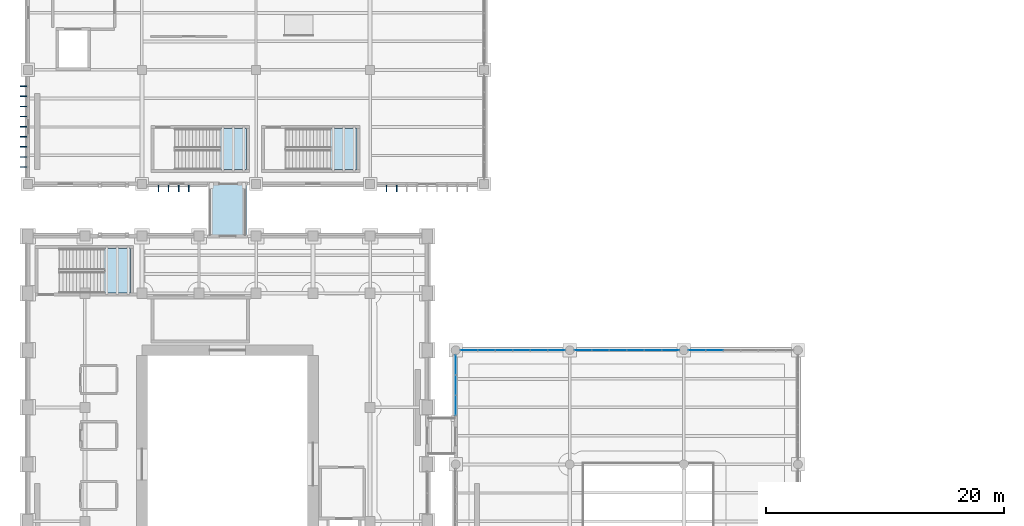
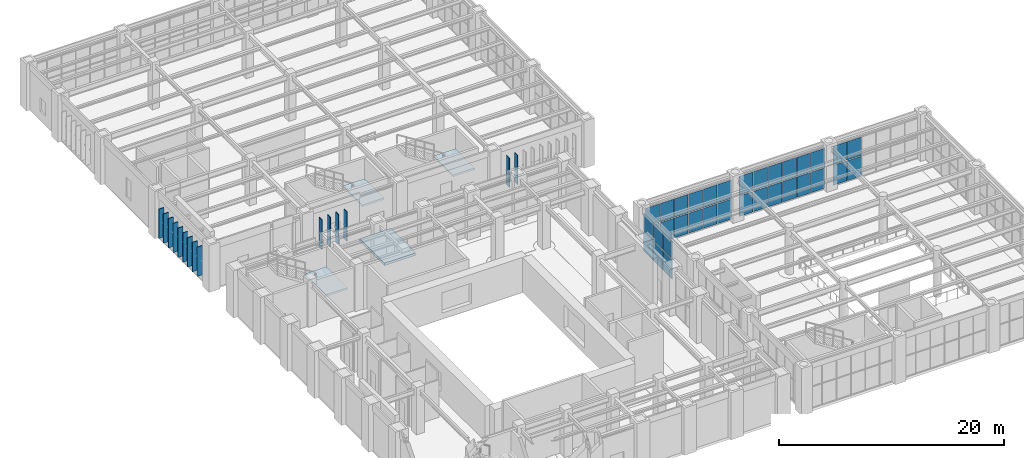
# One storey, part 130 of 174: 49 plates, 4 slabs, 7 elements without a shape of their own.
"""IFC4 building model written with IfcOpenShell, lengths in metres."""

import ifcopenshell
import ifcopenshell.guid

model = None  # the IFC model being written
_history = None  # IfcOwnerHistory: only IFC2X3 demands one
_inside = {}  # id of a spatial element -> (the spatial element, [elements in it])
_under = {}  # id of a project, library or spatial element -> (it, [spatial elements below it])
_declared = {}  # id of a project -> (the project, [libraries it declares])
_typed = {}  # id of a type object -> (the type object, [elements of that type])
_made_of = {}  # id of a material, layer set ... -> (it, [elements and type objects made of it])


def new_model(schema):
    """Start an empty IFC model of exactly this schema.

    Asked for "IFC4X3", IfcOpenShell would pick the latest addendum, in which some entities
    have other attributes; the version numbers below select the first issue.
    IFC2X3 requires an IfcOwnerHistory on every rooted entity: one is made here for all.
    """
    global model, _history
    if schema == "IFC4X3":
        model = ifcopenshell.file(schema_version=(4, 3, 0, 0))
    else:
        model = ifcopenshell.file(schema=schema)
    _inside.clear()
    _under.clear()
    _declared.clear()
    _typed.clear()
    _made_of.clear()
    _history = None
    if model.schema == "IFC2X3":
        org = make("IfcOrganization", Name="unknown")
        user = make(
            "IfcPersonAndOrganization",
            ThePerson=make("IfcPerson", FamilyName="unknown"),
            TheOrganization=org,
        )
        app = make(
            "IfcApplication",
            ApplicationDeveloper=org,
            Version="unknown",
            ApplicationFullName="unknown",
            ApplicationIdentifier="unknown",
        )
        _history = make(
            "IfcOwnerHistory",
            OwningUser=user,
            OwningApplication=app,
            ChangeAction="ADDED",
            CreationDate=0,
        )
    return model


def make(cls, **values):
    """One entity of the class cls with the attributes given. An attribute that is None is left unset."""
    return model.create_entity(
        cls, **{name: value for name, value in values.items() if value is not None}
    )


def rooted(cls, **values):
    """An entity with a GlobalId (a new one), such as an element, a storey or a relation."""
    return make(cls, GlobalId=ifcopenshell.guid.new(), OwnerHistory=_history, **values)


def si_unit(unit_type, name, prefix=None):
    """IfcSIUnit, for example si_unit("LENGTHUNIT", "METRE", prefix="MILLI")."""
    return make("IfcSIUnit", UnitType=unit_type, Prefix=prefix, Name=name)


def assignment(units):
    """IfcUnitAssignment: the units of a project."""
    return None if units is None else make("IfcUnitAssignment", Units=units)


def point(xyz):
    """IfcCartesianPoint."""
    return None if xyz is None else make("IfcCartesianPoint", Coordinates=xyz)


def direction(xyz):
    """IfcDirection."""
    return None if xyz is None else make("IfcDirection", DirectionRatios=xyz)


def frame(location, z_axis=None, x_axis=None):
    """IfcAxis2Placement3D, a coordinate frame: its origin and axes. An axis left out is left unset."""
    return make(
        "IfcAxis2Placement3D",
        Location=point(location),
        Axis=direction(z_axis),
        RefDirection=direction(x_axis),
    )


def frame_2d(location, x_axis=None):
    """IfcAxis2Placement2D, a coordinate frame in the plane: its origin and x axis."""
    return make(
        "IfcAxis2Placement2D", Location=point(location), RefDirection=direction(x_axis)
    )


def origin():
    """The frame at (0, 0, 0) with its axes left unset."""
    return frame((0.0, 0.0, 0.0))


def origin_2d():
    """The frame at (0, 0) in the plane with its x axis left unset."""
    return frame_2d((0.0, 0.0))


def place(relative_to, where):
    """IfcLocalPlacement: puts the frame where relative to a parent placement (None: the world)."""
    return make(
        "IfcLocalPlacement", PlacementRelTo=relative_to, RelativePlacement=where
    )


def context(
    kind, dimensions, precision=None, world=None, true_north=None, identifier=None
):
    """IfcGeometricRepresentationContext, for example the 3D "Model" context."""
    return make(
        "IfcGeometricRepresentationContext",
        ContextIdentifier=identifier,
        ContextType=kind,
        CoordinateSpaceDimension=dimensions,
        Precision=precision,
        WorldCoordinateSystem=world,
        TrueNorth=true_north,
    )


def subcontext(parent, identifier, kind, view, scale=None):
    """IfcGeometricRepresentationSubContext, for example "Body" below "Model"."""
    return make(
        "IfcGeometricRepresentationSubContext",
        ContextIdentifier=identifier,
        ContextType=kind,
        ParentContext=parent,
        TargetScale=scale,
        TargetView=view,
    )


def project(units=None, contexts=None):
    """IfcProject with its units and contexts."""
    return rooted(
        "IfcProject",
        Name="project",
        RepresentationContexts=contexts,
        UnitsInContext=assignment(units),
    )


def spatial(cls, under=None, at=None, **own):
    """A site, building, storey or space (cls), placed at a placement, below another one or the project."""
    s = rooted(cls, ObjectPlacement=at, **own)
    if under is not None:
        _under.setdefault(under.id(), (under, []))[1].append(s)
    return s


def polyline(points):
    """IfcPolyline through the points."""
    return make("IfcPolyline", Points=[point(p) for p in points])


def profile(cls, at=None, kind="AREA", **sizes):
    """A parametric profile (cls). Its sizes go by their IFC names, for example OverallWidth=200.0."""
    return make(cls, ProfileType=kind, Position=at, **sizes)


def rectangle(**sizes):
    """IfcRectangleProfileDef."""
    return profile("IfcRectangleProfileDef", **sizes)


def outline(outer, holes=None, kind="AREA"):
    """IfcArbitraryClosedProfileDef: a profile drawn as a closed curve; with holes, ...WithVoids."""
    if holes is None:
        return make("IfcArbitraryClosedProfileDef", ProfileType=kind, OuterCurve=outer)
    return make(
        "IfcArbitraryProfileDefWithVoids",
        ProfileType=kind,
        OuterCurve=outer,
        InnerCurves=holes,
    )


def extrude(swept, where, along, depth):
    """IfcExtrudedAreaSolid: the profile swept, set in the frame where, extruded along a direction by depth."""
    return make(
        "IfcExtrudedAreaSolid",
        SweptArea=swept,
        Position=where,
        ExtrudedDirection=direction(along),
        Depth=depth,
    )


def shape(context_of_items, identifier, shape_type, items):
    """IfcShapeRepresentation: the items that make up one representation, for example the "Body"."""
    return make(
        "IfcShapeRepresentation",
        ContextOfItems=context_of_items,
        RepresentationIdentifier=identifier,
        RepresentationType=shape_type,
        Items=items,
    )


def material(Name=None, Category=None):
    """IfcMaterial."""
    return make("IfcMaterial", Name=Name, Category=Category)


def layer(
    of_material, thickness, ventilated=None, Name=None, Category=None, Priority=None
):
    """IfcMaterialLayer: one layer of a wall or slab, of a material (None: an air gap)."""
    return make(
        "IfcMaterialLayer",
        Material=of_material,
        LayerThickness=thickness,
        IsVentilated=ventilated,
        Name=Name,
        Category=Category,
        Priority=Priority,
    )


def layer_set(layers, Name=None):
    """IfcMaterialLayerSet."""
    return make("IfcMaterialLayerSet", MaterialLayers=layers, LayerSetName=Name)


def made_of(thing, what):
    """Note that an element or type object is made of a material, layer set ...; save() writes the relation."""
    if what is not None:
        _made_of.setdefault(what.id(), (what, []))[1].append(thing)
    return thing


def type_object(cls, material=None, **own):
    """A type object (cls), such as IfcWallType, which elements share."""
    return made_of(rooted(cls, **own), material)


def element(
    cls,
    number,
    at=None,
    inside=None,
    cuts=None,
    type_object=None,
    material=None,
    context=None,
    identifier="Body",
    shape_type=None,
    held_by="IfcProductDefinitionShape",
    body=None,
    shapes=None,
    **own,
):
    """One element of the class cls, such as IfcWall. Its Tag is "e" and its number.

    at: its placement. inside: the storey or other place that contains it. cuts: it is an
    opening in that element (IfcRelVoidsElement). A single representation is given by context,
    identifier, shape_type and body (its items); several are given by shapes. held_by: the class
    of the entity that holds the representations. save() writes the other relations.
    """
    e = rooted(cls, Tag="e%d" % number, ObjectPlacement=at, **own)
    if body is not None:
        shapes = [shape(context, identifier, shape_type, body)]
    if shapes is not None:
        e.Representation = make(held_by, Representations=shapes)
    if inside is not None:
        _inside.setdefault(inside.id(), (inside, []))[1].append(e)
    if cuts is not None:
        rooted(
            "IfcRelVoidsElement", RelatingBuildingElement=cuts, RelatedOpeningElement=e
        )
    if type_object is not None:
        _typed.setdefault(type_object.id(), (type_object, []))[1].append(e)
    return made_of(e, material)


def aggregate(whole, parts):
    """IfcRelAggregates: a whole, such as a stair, and the parts it consists of."""
    return rooted("IfcRelAggregates", RelatingObject=whole, RelatedObjects=parts)


def save(model, path):
    """Write the relations noted so far, then the file.

    IfcRelAggregates (storeys below a building ...), IfcRelContainedInSpatialStructure (elements
    in a storey), IfcRelDefinesByType, IfcRelAssociatesMaterial and IfcRelDeclares: one each for
    every whole, place, type object, material and project.
    """
    for whole, parts in _under.values():
        aggregate(whole, parts)
    for where, things in _inside.values():
        rooted(
            "IfcRelContainedInSpatialStructure",
            RelatedElements=things,
            RelatingStructure=where,
        )
    for kind, things in _typed.values():
        rooted("IfcRelDefinesByType", RelatedObjects=things, RelatingType=kind)
    for what, things in _made_of.values():
        rooted("IfcRelAssociatesMaterial", RelatedObjects=things, RelatingMaterial=what)
    for by, libraries in _declared.values():
        rooted("IfcRelDeclares", RelatingContext=by, RelatedDefinitions=libraries)
    model.write(path)


model = new_model("IFC4")

# Units and contexts
model_context = context("Model", 3, precision=1e-05, world=origin(), true_north=direction((0.0, 1.0)))
body_context = subcontext(model_context, "Body", "Model", "MODEL_VIEW")
ifc_project = project(units=[si_unit("LENGTHUNIT", "METRE"), si_unit("AREAUNIT", "SQUARE_METRE"), si_unit("VOLUMEUNIT", "CUBIC_METRE"), si_unit("PLANEANGLEUNIT", "RADIAN"), si_unit("MASSUNIT", "GRAM", prefix="KILO")], contexts=[model_context])

# Site, building, storey
site_placement = place(None, origin())
site = spatial("IfcSite", under=ifc_project, at=site_placement, CompositionType="ELEMENT")
building_placement = place(site_placement, origin())
building = spatial("IfcBuilding", under=site, at=building_placement, Name="Mavantir Sound Aquarium", CompositionType="ELEMENT")
storey_placement = place(building_placement, frame((0.0, 0.0, 5.39990234375)))
storey = spatial("IfcBuildingStorey", under=building, at=storey_placement, Name="L01", CompositionType="ELEMENT", Elevation=5.39990234375)

# Curtain wall, plates
ifc_material_1 = material(Name="Anodised Marine Aluminium and Low-E Glass", Category="aluminium")
curtain_wall_type_1 = type_object("IfcCurtainWallType", Name="CW-T11", PredefinedType="USERDEFINED", material=ifc_material_1)
curtain_wall_1_placement = place(storey_placement, origin())
curtain_wall_1 = element("IfcCurtainWall", 1, at=curtain_wall_1_placement, inside=storey, type_object=curtain_wall_type_1, Name="L01 unitised curtain wall CW-11 59", ObjectType="UNITISED GLAZING", PredefinedType="USERDEFINED")
ifc_material_2 = material(Name="Solar-Control Laminated Low-E Glass", Category="glass")
ifc_layer_1 = layer(ifc_material_2, 0.028076171875, Name="Solar-Control Laminated Low-E Glass")
ifc_layer_set_1 = layer_set([ifc_layer_1], Name="Solar-Control Laminated Low-E Glass")
plate_type_1 = type_object("IfcPlateType", Name="CW-PNL-28", PredefinedType="CURTAIN_PANEL", material=ifc_layer_set_1)
plate_1_placement = place(storey_placement, frame((54.080810546875, 69.60009765625, 0.10302734375), z_axis=(0.0, 0.0, 1.0), x_axis=(-1.0, 0.0, 0.0)))
plate_1 = element("IfcPlate", 2, at=plate_1_placement, type_object=plate_type_1, Name="CW-L01-059 glazed curtain panel 1.1", PredefinedType="CURTAIN_PANEL", context=body_context, shape_type="SweptSolid", body=[
    extrude(rectangle(XDim=1.42431640625, YDim=0.028076171875, at=origin_2d()), origin(), (0.0, 0.0, 1.0), 2.21142578125),
])
plate_2_placement = place(storey_placement, frame((54.080810546875, 69.60009765625, 2.41064453125), z_axis=(0.0, 0.0, 1.0), x_axis=(-1.0, 0.0, 0.0)))
plate_2 = element("IfcPlate", 3, at=plate_2_placement, type_object=plate_type_1, Name="CW-L01-059 glazed curtain panel 1.2", PredefinedType="CURTAIN_PANEL", context=body_context, shape_type="SweptSolid", body=[
    extrude(rectangle(XDim=1.42431640625, YDim=0.028076171875, at=origin_2d()), origin(), (0.0, 0.0, 1.0), 2.029541015625),
])
plate_3_placement = place(storey_placement, frame((52.6083984375, 69.60009765625, 0.10302734375), z_axis=(0.0, 0.0, 1.0), x_axis=(-1.0, 0.0, 0.0)))
plate_3 = element("IfcPlate", 4, at=plate_3_placement, type_object=plate_type_1, Name="CW-L01-059 glazed curtain panel 2.1", PredefinedType="CURTAIN_PANEL", context=body_context, shape_type="SweptSolid", body=[
    extrude(rectangle(XDim=1.42431640625, YDim=0.028076171875, at=origin_2d()), origin(), (0.0, 0.0, 1.0), 2.21142578125),
])
plate_4_placement = place(storey_placement, frame((52.6083984375, 69.60009765625, 2.41064453125), z_axis=(0.0, 0.0, 1.0), x_axis=(-1.0, 0.0, 0.0)))
plate_4 = element("IfcPlate", 5, at=plate_4_placement, type_object=plate_type_1, Name="CW-L01-059 glazed curtain panel 2.2", PredefinedType="CURTAIN_PANEL", context=body_context, shape_type="SweptSolid", body=[
    extrude(rectangle(XDim=1.42431640625, YDim=0.028076171875, at=origin_2d()), origin(), (0.0, 0.0, 1.0), 2.029541015625),
])
plate_5_placement = place(storey_placement, frame((51.13623046875, 69.60009765625, 0.10302734375), z_axis=(0.0, 0.0, 1.0), x_axis=(-1.0, 0.0, 0.0)))
plate_5 = element("IfcPlate", 6, at=plate_5_placement, type_object=plate_type_1, Name="CW-L01-059 glazed curtain panel 3.1", PredefinedType="CURTAIN_PANEL", context=body_context, shape_type="SweptSolid", body=[
    extrude(rectangle(XDim=1.42431640625, YDim=0.028076171875, at=origin_2d()), origin(), (0.0, 0.0, 1.0), 2.21142578125),
])
plate_6_placement = place(storey_placement, frame((51.13623046875, 69.60009765625, 2.41064453125), z_axis=(0.0, 0.0, 1.0), x_axis=(-1.0, 0.0, 0.0)))
plate_6 = element("IfcPlate", 7, at=plate_6_placement, type_object=plate_type_1, Name="CW-L01-059 glazed curtain panel 3.2", PredefinedType="CURTAIN_PANEL", context=body_context, shape_type="SweptSolid", body=[
    extrude(rectangle(XDim=1.42431640625, YDim=0.028076171875, at=origin_2d()), origin(), (0.0, 0.0, 1.0), 2.029541015625),
])
plate_7_placement = place(storey_placement, frame((49.663818359375, 69.60009765625, 0.10302734375), z_axis=(0.0, 0.0, 1.0), x_axis=(-1.0, 0.0, 0.0)))
plate_7 = element("IfcPlate", 8, at=plate_7_placement, type_object=plate_type_1, Name="CW-L01-059 glazed curtain panel 4.1", PredefinedType="CURTAIN_PANEL", context=body_context, shape_type="SweptSolid", body=[
    extrude(rectangle(XDim=1.42431640625, YDim=0.028076171875, at=origin_2d()), origin(), (0.0, 0.0, 1.0), 2.21142578125),
])
plate_8_placement = place(storey_placement, frame((49.663818359375, 69.60009765625, 2.41064453125), z_axis=(0.0, 0.0, 1.0), x_axis=(-1.0, 0.0, 0.0)))
plate_8 = element("IfcPlate", 9, at=plate_8_placement, type_object=plate_type_1, Name="CW-L01-059 glazed curtain panel 4.2", PredefinedType="CURTAIN_PANEL", context=body_context, shape_type="SweptSolid", body=[
    extrude(rectangle(XDim=1.42431640625, YDim=0.028076171875, at=origin_2d()), origin(), (0.0, 0.0, 1.0), 2.029541015625),
])
plate_9_placement = place(storey_placement, frame((48.19140625, 69.60009765625, 0.10302734375), z_axis=(0.0, 0.0, 1.0), x_axis=(-1.0, 0.0, 0.0)))
plate_9 = element("IfcPlate", 10, at=plate_9_placement, type_object=plate_type_1, Name="CW-L01-059 glazed curtain panel 5.1", PredefinedType="CURTAIN_PANEL", context=body_context, shape_type="SweptSolid", body=[
    extrude(rectangle(XDim=1.42431640625, YDim=0.028076171875, at=origin_2d()), origin(), (0.0, 0.0, 1.0), 2.21142578125),
])
plate_10_placement = place(storey_placement, frame((48.19140625, 69.60009765625, 2.41064453125), z_axis=(0.0, 0.0, 1.0), x_axis=(-1.0, 0.0, 0.0)))
plate_10 = element("IfcPlate", 11, at=plate_10_placement, type_object=plate_type_1, Name="CW-L01-059 glazed curtain panel 5.2", PredefinedType="CURTAIN_PANEL", context=body_context, shape_type="SweptSolid", body=[
    extrude(rectangle(XDim=1.42431640625, YDim=0.028076171875, at=origin_2d()), origin(), (0.0, 0.0, 1.0), 2.029541015625),
])
plate_11_placement = place(storey_placement, frame((46.71923828125, 69.60009765625, 0.10302734375), z_axis=(0.0, 0.0, 1.0), x_axis=(-1.0, 0.0, 0.0)))
plate_11 = element("IfcPlate", 12, at=plate_11_placement, type_object=plate_type_1, Name="CW-L01-059 glazed curtain panel 6.1", PredefinedType="CURTAIN_PANEL", context=body_context, shape_type="SweptSolid", body=[
    extrude(rectangle(XDim=1.42431640625, YDim=0.028076171875, at=origin_2d()), origin(), (0.0, 0.0, 1.0), 2.21142578125),
])
plate_12_placement = place(storey_placement, frame((46.71923828125, 69.60009765625, 2.41064453125), z_axis=(0.0, 0.0, 1.0), x_axis=(-1.0, 0.0, 0.0)))
plate_12 = element("IfcPlate", 13, at=plate_12_placement, type_object=plate_type_1, Name="CW-L01-059 glazed curtain panel 6.2", PredefinedType="CURTAIN_PANEL", context=body_context, shape_type="SweptSolid", body=[
    extrude(rectangle(XDim=1.42431640625, YDim=0.028076171875, at=origin_2d()), origin(), (0.0, 0.0, 1.0), 2.029541015625),
])
aggregate(curtain_wall_1, [plate_1, plate_2, plate_3, plate_4, plate_5, plate_6, plate_7, plate_8, plate_9, plate_10, plate_11, plate_12])

curtain_wall_type_2 = type_object("IfcCurtainWallType", Name="CW-T13", PredefinedType="USERDEFINED", material=ifc_material_1)
curtain_wall_2_placement = place(storey_placement, origin())
curtain_wall_2 = element("IfcCurtainWall", 14, at=curtain_wall_2_placement, inside=storey, type_object=curtain_wall_type_2, Name="L01 unitised curtain wall CW-13 61", ObjectType="UNITISED GLAZING", PredefinedType="USERDEFINED")
plate_13_placement = place(storey_placement, frame((36.0, 68.364990234375, 0.10302734375), z_axis=(0.0, 0.0, 1.0), x_axis=(0.0, -1.0, 0.0)))
plate_13 = element("IfcPlate", 15, at=plate_13_placement, type_object=plate_type_1, Name="CW-L01-061 glazed curtain panel 1.1", PredefinedType="CURTAIN_PANEL", context=body_context, shape_type="SweptSolid", body=[
    extrude(rectangle(XDim=1.656005859375, YDim=0.028076171875, at=origin_2d()), origin(), (0.0, 0.0, 1.0), 2.10009765625),
])
plate_14_placement = place(storey_placement, frame((36.0, 68.364990234375, 2.29931640625), z_axis=(0.0, 0.0, 1.0), x_axis=(0.0, -1.0, 0.0)))
plate_14 = element("IfcPlate", 16, at=plate_14_placement, type_object=plate_type_1, Name="CW-L01-061 glazed curtain panel 1.2", PredefinedType="CURTAIN_PANEL", context=body_context, shape_type="SweptSolid", body=[
    extrude(rectangle(XDim=1.656005859375, YDim=0.028076171875, at=origin_2d()), origin(), (0.0, 0.0, 1.0), 1.927001953125),
])
plate_15_placement = place(storey_placement, frame((36.0, 66.660888671875, 0.10302734375), z_axis=(0.0, 0.0, 1.0), x_axis=(0.0, -1.0, 0.0)))
plate_15 = element("IfcPlate", 17, at=plate_15_placement, type_object=plate_type_1, Name="CW-L01-061 glazed curtain panel 2.1", PredefinedType="CURTAIN_PANEL", context=body_context, shape_type="SweptSolid", body=[
    extrude(rectangle(XDim=1.656005859375, YDim=0.028076171875, at=origin_2d()), origin(), (0.0, 0.0, 1.0), 2.10009765625),
])
plate_16_placement = place(storey_placement, frame((36.0, 66.660888671875, 2.29931640625), z_axis=(0.0, 0.0, 1.0), x_axis=(0.0, -1.0, 0.0)))
plate_16 = element("IfcPlate", 18, at=plate_16_placement, type_object=plate_type_1, Name="CW-L01-061 glazed curtain panel 2.2", PredefinedType="CURTAIN_PANEL", context=body_context, shape_type="SweptSolid", body=[
    extrude(rectangle(XDim=1.656005859375, YDim=0.028076171875, at=origin_2d()), origin(), (0.0, 0.0, 1.0), 1.927001953125),
])
plate_17_placement = place(storey_placement, frame((36.0, 64.95703125, 0.10302734375), z_axis=(0.0, 0.0, 1.0), x_axis=(0.0, -1.0, 0.0)))
plate_17 = element("IfcPlate", 19, at=plate_17_placement, type_object=plate_type_1, Name="CW-L01-061 glazed curtain panel 3.1", PredefinedType="CURTAIN_PANEL", context=body_context, shape_type="SweptSolid", body=[
    extrude(rectangle(XDim=1.656005859375, YDim=0.028076171875, at=origin_2d()), origin(), (0.0, 0.0, 1.0), 2.10009765625),
])
plate_18_placement = place(storey_placement, frame((36.0, 64.95703125, 2.29931640625), z_axis=(0.0, 0.0, 1.0), x_axis=(0.0, -1.0, 0.0)))
plate_18 = element("IfcPlate", 20, at=plate_18_placement, type_object=plate_type_1, Name="CW-L01-061 glazed curtain panel 3.2", PredefinedType="CURTAIN_PANEL", context=body_context, shape_type="SweptSolid", body=[
    extrude(rectangle(XDim=1.656005859375, YDim=0.028076171875, at=origin_2d()), origin(), (0.0, 0.0, 1.0), 1.927001953125),
])
aggregate(curtain_wall_2, [plate_13, plate_14, plate_15, plate_16, plate_17, plate_18])

curtain_wall_type_3 = type_object("IfcCurtainWallType", Name="CW-T10", PredefinedType="USERDEFINED", material=ifc_material_1)
curtain_wall_3_placement = place(storey_placement, origin())
curtain_wall_3 = element("IfcCurtainWall", 21, at=curtain_wall_3_placement, inside=storey, type_object=curtain_wall_type_3, Name="L01 unitised curtain wall CW-10 58", ObjectType="UNITISED GLAZING", PredefinedType="USERDEFINED")
ifc_layer_2 = layer(ifc_material_2, 0.031982421875, Name="Solar-Control Laminated Low-E Glass")
ifc_layer_set_2 = layer_set([ifc_layer_2], Name="Solar-Control Laminated Low-E Glass")
plate_type_2 = type_object("IfcPlateType", Name="CW-PNL-32", PredefinedType="CURTAIN_PANEL", material=ifc_layer_set_2)
plate_19_placement = place(storey_placement, frame((57.79150390625, 69.60009765625, 0.10302734375), z_axis=(0.0, 0.0, 1.0), x_axis=(-1.0, 0.0, 0.0)))
plate_19 = element("IfcPlate", 22, at=plate_19_placement, type_object=plate_type_2, Name="CW-L01-058 glazed curtain panel 5.1", PredefinedType="CURTAIN_PANEL", context=body_context, shape_type="SweptSolid", body=[
    extrude(rectangle(XDim=1.42431640625, YDim=0.031982421875, at=origin_2d()), origin(), (0.0, 0.0, 1.0), 2.15673828125),
])
plate_20_placement = place(storey_placement, frame((57.79150390625, 69.60009765625, 2.35595703125), z_axis=(0.0, 0.0, 1.0), x_axis=(-1.0, 0.0, 0.0)))
plate_20 = element("IfcPlate", 23, at=plate_20_placement, type_object=plate_type_2, Name="CW-L01-058 glazed curtain panel 5.2", PredefinedType="CURTAIN_PANEL", context=body_context, shape_type="SweptSolid", body=[
    extrude(rectangle(XDim=1.42431640625, YDim=0.031982421875, at=origin_2d()), origin(), (0.0, 0.0, 1.0), 1.979248046875),
])
plate_21_placement = place(storey_placement, frame((56.319091796875, 69.60009765625, 0.10302734375), z_axis=(0.0, 0.0, 1.0), x_axis=(-1.0, 0.0, 0.0)))
plate_21 = element("IfcPlate", 24, at=plate_21_placement, type_object=plate_type_2, Name="CW-L01-058 glazed curtain panel 6.1", PredefinedType="CURTAIN_PANEL", context=body_context, shape_type="SweptSolid", body=[
    extrude(rectangle(XDim=1.42431640625, YDim=0.031982421875, at=origin_2d()), origin(), (0.0, 0.0, 1.0), 2.15673828125),
])
plate_22_placement = place(storey_placement, frame((56.319091796875, 69.60009765625, 2.35595703125), z_axis=(0.0, 0.0, 1.0), x_axis=(-1.0, 0.0, 0.0)))
plate_22 = element("IfcPlate", 25, at=plate_22_placement, type_object=plate_type_2, Name="CW-L01-058 glazed curtain panel 6.2", PredefinedType="CURTAIN_PANEL", context=body_context, shape_type="SweptSolid", body=[
    extrude(rectangle(XDim=1.42431640625, YDim=0.031982421875, at=origin_2d()), origin(), (0.0, 0.0, 1.0), 1.979248046875),
])
aggregate(curtain_wall_3, [plate_19, plate_20, plate_21, plate_22])

curtain_wall_type_4 = type_object("IfcCurtainWallType", Name="CW-T12", PredefinedType="USERDEFINED", material=ifc_material_1)
curtain_wall_4_placement = place(storey_placement, origin())
curtain_wall_4 = element("IfcCurtainWall", 26, at=curtain_wall_4_placement, inside=storey, type_object=curtain_wall_type_4, Name="L01 unitised curtain wall CW-12 60", ObjectType="UNITISED GLAZING", PredefinedType="USERDEFINED")
plate_23_placement = place(storey_placement, frame((44.480712890625, 69.60009765625, 0.10302734375), z_axis=(0.0, 0.0, 1.0), x_axis=(-1.0, 0.0, 0.0)))
plate_23 = element("IfcPlate", 27, at=plate_23_placement, type_object=plate_type_2, Name="CW-L01-060 glazed curtain panel 1.1", PredefinedType="CURTAIN_PANEL", context=body_context, shape_type="SweptSolid", body=[
    extrude(rectangle(XDim=1.42431640625, YDim=0.031982421875, at=origin_2d()), origin(), (0.0, 0.0, 1.0), 2.15673828125),
])
plate_24_placement = place(storey_placement, frame((44.480712890625, 69.60009765625, 2.35595703125), z_axis=(0.0, 0.0, 1.0), x_axis=(-1.0, 0.0, 0.0)))
plate_24 = element("IfcPlate", 28, at=plate_24_placement, type_object=plate_type_2, Name="CW-L01-060 glazed curtain panel 1.2", PredefinedType="CURTAIN_PANEL", context=body_context, shape_type="SweptSolid", body=[
    extrude(rectangle(XDim=1.42431640625, YDim=0.031982421875, at=origin_2d()), origin(), (0.0, 0.0, 1.0), 1.979248046875),
])
plate_25_placement = place(storey_placement, frame((43.008544921875, 69.60009765625, 0.10302734375), z_axis=(0.0, 0.0, 1.0), x_axis=(-1.0, 0.0, 0.0)))
plate_25 = element("IfcPlate", 29, at=plate_25_placement, type_object=plate_type_2, Name="CW-L01-060 glazed curtain panel 2.1", PredefinedType="CURTAIN_PANEL", context=body_context, shape_type="SweptSolid", body=[
    extrude(rectangle(XDim=1.42431640625, YDim=0.031982421875, at=origin_2d()), origin(), (0.0, 0.0, 1.0), 2.15673828125),
])
plate_26_placement = place(storey_placement, frame((43.008544921875, 69.60009765625, 2.35595703125), z_axis=(0.0, 0.0, 1.0), x_axis=(-1.0, 0.0, 0.0)))
plate_26 = element("IfcPlate", 30, at=plate_26_placement, type_object=plate_type_2, Name="CW-L01-060 glazed curtain panel 2.2", PredefinedType="CURTAIN_PANEL", context=body_context, shape_type="SweptSolid", body=[
    extrude(rectangle(XDim=1.42431640625, YDim=0.031982421875, at=origin_2d()), origin(), (0.0, 0.0, 1.0), 1.979248046875),
])
plate_27_placement = place(storey_placement, frame((41.5361328125, 69.60009765625, 0.10302734375), z_axis=(0.0, 0.0, 1.0), x_axis=(-1.0, 0.0, 0.0)))
plate_27 = element("IfcPlate", 31, at=plate_27_placement, type_object=plate_type_2, Name="CW-L01-060 glazed curtain panel 3.1", PredefinedType="CURTAIN_PANEL", context=body_context, shape_type="SweptSolid", body=[
    extrude(rectangle(XDim=1.42431640625, YDim=0.031982421875, at=origin_2d()), origin(), (0.0, 0.0, 1.0), 2.15673828125),
])
plate_28_placement = place(storey_placement, frame((41.5361328125, 69.60009765625, 2.35595703125), z_axis=(0.0, 0.0, 1.0), x_axis=(-1.0, 0.0, 0.0)))
plate_28 = element("IfcPlate", 32, at=plate_28_placement, type_object=plate_type_2, Name="CW-L01-060 glazed curtain panel 3.2", PredefinedType="CURTAIN_PANEL", context=body_context, shape_type="SweptSolid", body=[
    extrude(rectangle(XDim=1.42431640625, YDim=0.031982421875, at=origin_2d()), origin(), (0.0, 0.0, 1.0), 1.979248046875),
])
plate_29_placement = place(storey_placement, frame((40.063720703125, 69.60009765625, 0.10302734375), z_axis=(0.0, 0.0, 1.0), x_axis=(-1.0, 0.0, 0.0)))
plate_29 = element("IfcPlate", 33, at=plate_29_placement, type_object=plate_type_2, Name="CW-L01-060 glazed curtain panel 4.1", PredefinedType="CURTAIN_PANEL", context=body_context, shape_type="SweptSolid", body=[
    extrude(rectangle(XDim=1.42431640625, YDim=0.031982421875, at=origin_2d()), origin(), (0.0, 0.0, 1.0), 2.15673828125),
])
plate_30_placement = place(storey_placement, frame((40.063720703125, 69.60009765625, 2.35595703125), z_axis=(0.0, 0.0, 1.0), x_axis=(-1.0, 0.0, 0.0)))
plate_30 = element("IfcPlate", 34, at=plate_30_placement, type_object=plate_type_2, Name="CW-L01-060 glazed curtain panel 4.2", PredefinedType="CURTAIN_PANEL", context=body_context, shape_type="SweptSolid", body=[
    extrude(rectangle(XDim=1.42431640625, YDim=0.031982421875, at=origin_2d()), origin(), (0.0, 0.0, 1.0), 1.979248046875),
])
plate_31_placement = place(storey_placement, frame((38.591552734375, 69.60009765625, 0.10302734375), z_axis=(0.0, 0.0, 1.0), x_axis=(-1.0, 0.0, 0.0)))
plate_31 = element("IfcPlate", 35, at=plate_31_placement, type_object=plate_type_2, Name="CW-L01-060 glazed curtain panel 5.1", PredefinedType="CURTAIN_PANEL", context=body_context, shape_type="SweptSolid", body=[
    extrude(rectangle(XDim=1.42431640625, YDim=0.031982421875, at=origin_2d()), origin(), (0.0, 0.0, 1.0), 2.15673828125),
])
plate_32_placement = place(storey_placement, frame((38.591552734375, 69.60009765625, 2.35595703125), z_axis=(0.0, 0.0, 1.0), x_axis=(-1.0, 0.0, 0.0)))
plate_32 = element("IfcPlate", 36, at=plate_32_placement, type_object=plate_type_2, Name="CW-L01-060 glazed curtain panel 5.2", PredefinedType="CURTAIN_PANEL", context=body_context, shape_type="SweptSolid", body=[
    extrude(rectangle(XDim=1.42431640625, YDim=0.031982421875, at=origin_2d()), origin(), (0.0, 0.0, 1.0), 1.979248046875),
])
plate_33_placement = place(storey_placement, frame((37.119140625, 69.60009765625, 0.10302734375), z_axis=(0.0, 0.0, 1.0), x_axis=(-1.0, 0.0, 0.0)))
plate_33 = element("IfcPlate", 37, at=plate_33_placement, type_object=plate_type_2, Name="CW-L01-060 glazed curtain panel 6.1", PredefinedType="CURTAIN_PANEL", context=body_context, shape_type="SweptSolid", body=[
    extrude(rectangle(XDim=1.42431640625, YDim=0.031982421875, at=origin_2d()), origin(), (0.0, 0.0, 1.0), 2.15673828125),
])
plate_34_placement = place(storey_placement, frame((37.119140625, 69.60009765625, 2.35595703125), z_axis=(0.0, 0.0, 1.0), x_axis=(-1.0, 0.0, 0.0)))
plate_34 = element("IfcPlate", 38, at=plate_34_placement, type_object=plate_type_2, Name="CW-L01-060 glazed curtain panel 6.2", PredefinedType="CURTAIN_PANEL", context=body_context, shape_type="SweptSolid", body=[
    extrude(rectangle(XDim=1.42431640625, YDim=0.031982421875, at=origin_2d()), origin(), (0.0, 0.0, 1.0), 1.979248046875),
])
aggregate(curtain_wall_4, [plate_23, plate_24, plate_25, plate_26, plate_27, plate_28, plate_29, plate_30, plate_31, plate_32, plate_33, plate_34])

# Plates
ifc_material_3 = material(Name="Coral-Limestone Composite Brise-Soleil Blade", Category="masonry")
ifc_layer_3 = layer(ifc_material_3, 0.06494140625, Name="Coral-Limestone Composite Brise-Soleil Blade")
ifc_layer_set_3 = layer_set([ifc_layer_3], Name="Coral-Limestone Composite Brise-Soleil Blade")
plate_type_3 = type_object("IfcPlateType", Name="PLT-FIN-520", PredefinedType="SHEET", material=ifc_layer_set_3)
for number, where, z_axis, x_axis, name in (
    (39, (-0.375, 91.81689453125, 0.57470703125), (0.0, 0.0, 1.0), (0.0, 1.0, 0.0), "Tropical coral-stone brise-soleil blade 7"),
    (40, (-0.375, 90.967041015625, 0.57470703125), (0.0, 0.0, 1.0), (0.0, 1.0, 0.0), "Tropical coral-stone brise-soleil blade 8"),
    (41, (-0.375, 90.116943359375, 0.57470703125), (0.0, 0.0, 1.0), (0.0, 1.0, 0.0), "Tropical coral-stone brise-soleil blade 9"),
    (42, (-0.375, 89.26708984375, 0.57470703125), (0.0, 0.0, 1.0), (0.0, 1.0, 0.0), "Tropical coral-stone brise-soleil blade 10"),
    (43, (-0.375, 88.4169921875, 0.57470703125), (0.0, 0.0, 1.0), (0.0, 1.0, 0.0), "Tropical coral-stone brise-soleil blade 11"),
    (44, (-0.375, 87.56689453125, 0.57470703125), (0.0, 0.0, 1.0), (0.0, 1.0, 0.0), "Tropical coral-stone brise-soleil blade 12"),
    (45, (-0.375, 86.717041015625, 0.57470703125), (0.0, 0.0, 1.0), (0.0, 1.0, 0.0), "Tropical coral-stone brise-soleil blade 13"),
    (46, (-0.375, 85.866943359375, 0.57470703125), (0.0, 0.0, 1.0), (0.0, 1.0, 0.0), "Tropical coral-stone brise-soleil blade 14"),
    (47, (-0.375, 85.01708984375, 0.57470703125), (0.0, 0.0, 1.0), (0.0, 1.0, 0.0), "Tropical coral-stone brise-soleil blade 15"),
    (48, (10.98291015625, 83.205078125, 0.681640625), (0.0, 0.0, 1.0), (-1.0, 0.0, 0.0), "Tropical coral-stone brise-soleil blade 16"),
    (49, (11.8330078125, 83.205078125, 0.681640625), (0.0, 0.0, 1.0), (-1.0, 0.0, 0.0), "Tropical coral-stone brise-soleil blade 17"),
    (50, (12.68310546875, 83.205078125, 0.681640625), (0.0, 0.0, 1.0), (-1.0, 0.0, 0.0), "Tropical coral-stone brise-soleil blade 18"),
    (51, (13.532958984375, 83.205078125, 0.681640625), (0.0, 0.0, 1.0), (-1.0, 0.0, 0.0), "Tropical coral-stone brise-soleil blade 19"),
    (52, (30.18310546875, 83.22509765625, 0.67138671875), (0.0, 0.0, 1.0), (-1.0, 0.0, 0.0), "Tropical coral-stone brise-soleil blade 20"),
    (53, (31.032958984375, 83.22509765625, 0.67138671875), (0.0, 0.0, 1.0), (-1.0, 0.0, 0.0), "Tropical coral-stone brise-soleil blade 21"),
):
    element("IfcPlate", number, at=place(storey_placement, frame(where, z_axis=z_axis, x_axis=x_axis)), inside=storey, type_object=plate_type_3, Name=name, PredefinedType="SHEET", context=body_context, shape_type="SweptSolid", body=[
        extrude(rectangle(XDim=0.06494140625, YDim=0.5400390625, at=origin_2d()), origin(), (0.0, 0.0, 1.0), 3.199951171875),
    ])

# Slab
ifc_material_4 = material(Name="Concrete C40/50", Category="concrete")
ifc_layer_4 = layer(ifc_material_4, 0.280029296875, Name="Concrete C40/50")
ifc_layer_set_4 = layer_set([ifc_layer_4], Name="Concrete C40/50")
slab_type_1 = type_object("IfcSlabType", Name="SLB-BRS-01", PredefinedType="FLOOR", material=ifc_layer_set_4)
slab_1_placement = place(storey_placement, frame((0.0, 0.0, -0.27978515625)))
element("IfcSlab", 54, at=slab_1_placement, inside=storey, type_object=slab_type_1, Name="L01 outdoor bridge slab BRS-01", PredefinedType="FLOOR", context=body_context, shape_type="SweptSolid", body=[
    extrude(outline(polyline([(15.199951171875, 79.199951171875), (18.39990234375, 79.199951171875), (18.39990234375, 83.60009765625), (15.199951171875, 83.60009765625), (15.199951171875, 79.199951171875)])), origin(), (0.0, 0.0, 1.0), 0.27978515625),
])

# Stair, slab
stair_type_1 = type_object("IfcStairType", Name="STR-1800-5100", PredefinedType="HALF_TURN_STAIR", material=ifc_material_4)
stair_1_placement = place(storey_placement, origin())
stair_1 = element("IfcStair", 55, at=stair_1_placement, inside=storey, type_object=stair_type_1, Name="L01 Protected exit stair ST2", PredefinedType="HALF_TURN_STAIR")
ifc_layer_5 = layer(ifc_material_4, 0.199951171875, Name="Concrete C40/50")
ifc_layer_set_5 = layer_set([ifc_layer_5], Name="Concrete C40/50")
slab_type_2 = type_object("IfcSlabType", Name="SLB-LND-360", PredefinedType="LANDING", material=ifc_layer_set_5)
slab_2_placement = place(storey_placement, frame((0.0, 0.0, 2.35009765625)))
slab_2 = element("IfcSlab", 56, at=slab_2_placement, type_object=slab_type_2, Name="ST2 landing 1", PredefinedType="LANDING", context=body_context, shape_type="SweptSolid", body=[
    extrude(outline(polyline([(6.419921875, 74.39990234375), (8.64990234375, 74.39990234375), (8.64990234375, 78.14990234375), (6.419921875, 78.14990234375), (6.419921875, 74.39990234375)])), origin(), (0.0, 0.0, 1.0), 0.199951171875),
])
aggregate(stair_1, [slab_2])

stair_type_2 = type_object("IfcStairType", Name="STR-1650-5100", PredefinedType="HALF_TURN_STAIR", material=ifc_material_4)
stair_2_placement = place(storey_placement, origin())
stair_2 = element("IfcStair", 57, at=stair_2_placement, inside=storey, type_object=stair_type_2, Name="L01 Protected exit stair ST5", PredefinedType="HALF_TURN_STAIR")
slab_3_placement = place(storey_placement, frame((0.0, 0.0, 2.35009765625)))
slab_3 = element("IfcSlab", 58, at=slab_3_placement, type_object=slab_type_2, Name="ST5 landing 1", PredefinedType="LANDING", context=body_context, shape_type="SweptSolid", body=[
    extrude(outline(polyline([(16.169921875, 84.800048828125), (18.39990234375, 84.800048828125), (18.39990234375, 88.25), (16.169921875, 88.25), (16.169921875, 84.800048828125)])), origin(), (0.0, 0.0, 1.0), 0.199951171875),
])
aggregate(stair_2, [slab_3])

stair_3_placement = place(storey_placement, origin())
stair_3 = element("IfcStair", 59, at=stair_3_placement, inside=storey, type_object=stair_type_2, Name="L01 Protected exit stair ST7", PredefinedType="HALF_TURN_STAIR")
slab_4_placement = place(storey_placement, frame((0.0, 0.0, 2.35009765625)))
slab_4 = element("IfcSlab", 60, at=slab_4_placement, type_object=slab_type_2, Name="ST7 landing 1", PredefinedType="LANDING", context=body_context, shape_type="SweptSolid", body=[
    extrude(outline(polyline([(25.469970703125, 84.800048828125), (27.699951171875, 84.800048828125), (27.699951171875, 88.25), (25.469970703125, 88.25), (25.469970703125, 84.800048828125)])), origin(), (0.0, 0.0, 1.0), 0.199951171875),
])
aggregate(stair_3, [slab_4])

save(model, "model.ifc")
